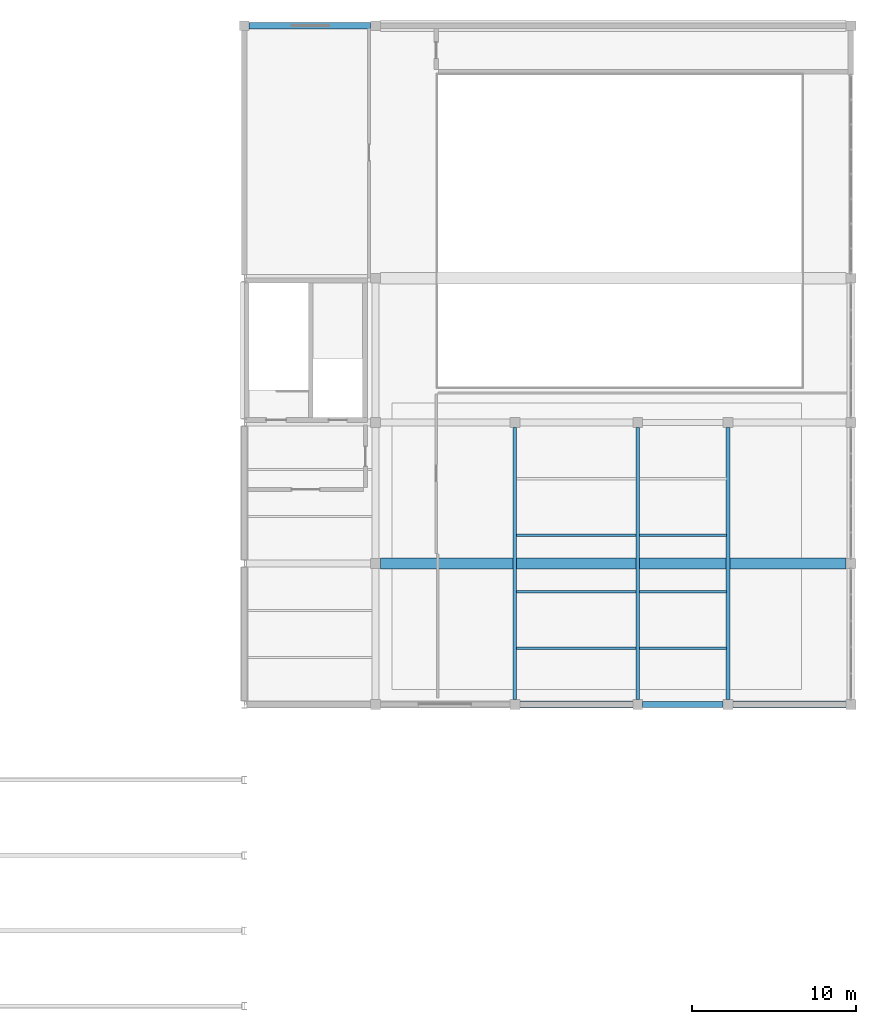
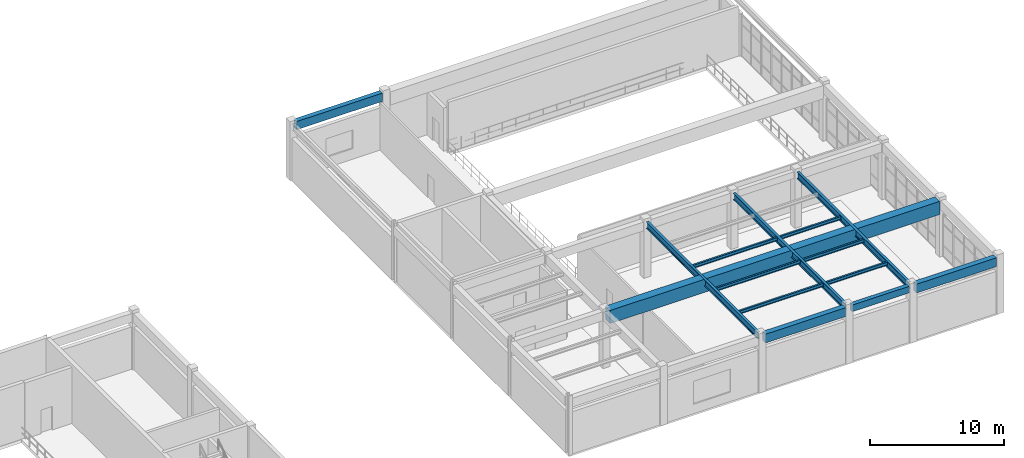
# One storey, part 11 of 38: 14 beams.
"""IFC4 building model written with IfcOpenShell, lengths in metres."""

from ifc_helpers import new_model, si_unit, direction, frame, origin, origin_2d, place, context, subcontext, project, spatial, rectangle, i_section, extrude, material, material_profile, profile_set, type_object, element, save


model = new_model("IFC4")

# Units and contexts
model_context = context("Model", 3, precision=1e-05, world=origin(), true_north=direction((0.0, 1.0)))
body_context = subcontext(model_context, "Body", "Model", "MODEL_VIEW")
ifc_project = project(units=[si_unit("LENGTHUNIT", "METRE"), si_unit("AREAUNIT", "SQUARE_METRE"), si_unit("VOLUMEUNIT", "CUBIC_METRE"), si_unit("PLANEANGLEUNIT", "RADIAN"), si_unit("MASSUNIT", "GRAM", prefix="KILO")], contexts=[model_context])

# Site, building, storey
site_placement = place(None, origin())
site = spatial("IfcSite", under=ifc_project, at=site_placement, CompositionType="ELEMENT")
building_placement = place(site_placement, origin())
building = spatial("IfcBuilding", under=site, at=building_placement, Name="Muzn Square Opera House", CompositionType="ELEMENT")
storey_placement = place(building_placement, frame((0.0, 0.0, 18.0)))
storey = spatial("IfcBuildingStorey", under=building, at=storey_placement, Name="L04", CompositionType="ELEMENT", Elevation=18.0)

# Beams
ifc_material_1 = material(Name="Concrete C40/50", Category="concrete")
ifc_material_profile_1 = material_profile(ifc_material_1, rectangle(XDim=0.35009765625, YDim=0.60009765625, at=origin_2d()), Name="RCB 350x600", Category="concrete")
ifc_profile_set_1 = profile_set([ifc_material_profile_1], Name="Concrete C40/50")
beam_type_1 = type_object("IfcBeamType", Name="Primary Girder 350x600", PredefinedType="BEAM", material=ifc_profile_set_1)
beam_1_placement = place(storey_placement, frame((157.2919921875, 72.60009765625, 4.820068359375), z_axis=(1.0, 0.0, 0.0), x_axis=(0.0, 1.0, 0.0)))
element("IfcBeam", 1, at=beam_1_placement, inside=storey, type_object=beam_type_1, Name="Primary Girder BM-L04-BM-PG600-1573_726_1622_726-2672", PredefinedType="BEAM", context=body_context, shape_type="SweptSolid", body=[
    extrude(rectangle(XDim=0.35009765625, YDim=0.60009765625, at=origin_2d()), origin(), (0.0, 0.0, 1.0), 4.916015625),
])
ifc_material_profile_2 = material_profile(ifc_material_1, rectangle(XDim=0.449951171875, YDim=0.800048828125, at=origin_2d()), Name="RCB 450x800", Category="concrete")
ifc_profile_set_2 = profile_set([ifc_material_profile_2], Name="Concrete C40/50")
beam_type_2 = type_object("IfcBeamType", Name="Primary Girder 450x800", PredefinedType="BEAM", material=ifc_profile_set_2)
for number, where, z_axis, x_axis, name in (
    (2, (149.7919921875, 72.60009765625, 4.719970703125), (1.0, 0.0, 0.0), (0.0, 1.0, 0.0), "Primary Girder BM-L04-BM-PG800-1498_726_1567_726-2671"),
    (3, (162.7919921875, 72.60009765625, 4.719970703125), (1.0, 0.0, 0.0), (0.0, 1.0, 0.0), "Primary Girder BM-L04-BM-PG800-1628_726_1697_726-2673"),
):
    element("IfcBeam", number, at=place(storey_placement, frame(where, z_axis=z_axis, x_axis=x_axis)), inside=storey, type_object=beam_type_2, Name=name, PredefinedType="BEAM", context=body_context, shape_type="SweptSolid", body=[
        extrude(rectangle(XDim=0.449951171875, YDim=0.800048828125, at=origin_2d()), origin(), (0.0, 0.0, 1.0), 6.916015625),
    ])
ifc_material_profile_3 = material_profile(ifc_material_1, rectangle(XDim=0.699951171875, YDim=1.199951171875, at=origin_2d()), Name="RCB 700x1200", Category="concrete")
ifc_profile_set_3 = profile_set([ifc_material_profile_3], Name="Concrete C40/50")
beam_type_3 = type_object("IfcBeamType", Name="Primary Girder 700x1200", PredefinedType="BEAM", material=ifc_profile_set_3)
beam_2_placement = place(storey_placement, frame((141.2919921875, 81.199951171875, 4.52001953125), z_axis=(1.0, 0.0, 0.0), x_axis=(0.0, 1.0, 0.0)))
element("IfcBeam", 4, at=beam_2_placement, inside=storey, type_object=beam_type_3, Name="Primary Girder BM-L04-BM-PG1200-1413_812_1697_812-2678", PredefinedType="BEAM", context=body_context, shape_type="SweptSolid", body=[
    extrude(rectangle(XDim=0.699951171875, YDim=1.199951171875, at=origin_2d()), origin(), (0.0, 0.0, 1.0), 28.416015625),
])
ifc_material_2 = material(Name="Steel S355", Category="steel")
ifc_material_profile_4 = material_profile(ifc_material_2, i_section(OverallWidth=0.14990234375, OverallDepth=0.300048828125, WebThickness=0.007080078125, FlangeThickness=0.0107421875, FilletRadius=0.014892578125, at=origin_2d()), Name="IPE 300", Category="steel")
ifc_profile_set_4 = profile_set([ifc_material_profile_4], Name="Steel S355")
beam_type_4 = type_object("IfcBeamType", Name="Secondary Steel Joist IPE300", PredefinedType="JOIST", material=ifc_profile_set_4)
for number, where, z_axis, x_axis, name in (
    (5, (149.60205078125, 76.0400390625, 4.969970703125), (1.0, 0.0, 0.0), (0.0, 1.0, 0.0), "Floor Joist BM-L04-BM-SJ300-1496_760_1569_760-2740"),
    (6, (149.60205078125, 79.47998046875, 4.969970703125), (1.0, 0.0, 0.0), (0.0, 1.0, 0.0), "Floor Joist BM-L04-BM-SJ300-1496_795_1569_795-2741"),
    (7, (149.60205078125, 82.919921875, 4.969970703125), (1.0, 0.0, 0.0), (0.0, 1.0, 0.0), "Floor Joist BM-L04-BM-SJ300-1496_829_1569_829-2742"),
):
    element("IfcBeam", number, at=place(storey_placement, frame(where, z_axis=z_axis, x_axis=x_axis)), inside=storey, type_object=beam_type_4, Name=name, PredefinedType="JOIST", context=body_context, shape_type="SweptSolid", body=[
        extrude(i_section(OverallWidth=0.14990234375, OverallDepth=0.300048828125, WebThickness=0.007080078125, FlangeThickness=0.0107421875, FilletRadius=0.014892578125, at=origin_2d()), origin(), (0.0, 0.0, 1.0), 7.2958984375),
    ])
for number, where, z_axis, x_axis, name in (
    (8, (157.10205078125, 76.0400390625, 4.969970703125), (1.0, 0.0, 0.0), (0.0, 1.0, 0.0), "Floor Joist BM-L04-BM-SJ300-1571_760_1624_760-2744"),
    (9, (157.10205078125, 79.47998046875, 4.969970703125), (1.0, 0.0, 0.0), (0.0, 1.0, 0.0), "Floor Joist BM-L04-BM-SJ300-1571_795_1624_795-2745"),
    (10, (157.10205078125, 82.919921875, 4.969970703125), (1.0, 0.0, 0.0), (0.0, 1.0, 0.0), "Floor Joist BM-L04-BM-SJ300-1571_829_1624_829-2746"),
):
    element("IfcBeam", number, at=place(storey_placement, frame(where, z_axis=z_axis, x_axis=x_axis)), inside=storey, type_object=beam_type_4, Name=name, PredefinedType="JOIST", context=body_context, shape_type="SweptSolid", body=[
        extrude(i_section(OverallWidth=0.14990234375, OverallDepth=0.300048828125, WebThickness=0.007080078125, FlangeThickness=0.0107421875, FilletRadius=0.014892578125, at=origin_2d()), origin(), (0.0, 0.0, 1.0), 5.2958984375),
    ])
ifc_material_profile_5 = material_profile(ifc_material_1, rectangle(XDim=0.39990234375, YDim=0.75, at=origin_2d()), Name="RCS 400x750", Category="concrete")
ifc_profile_set_5 = profile_set([ifc_material_profile_5], Name="Concrete C40/50")
beam_type_5 = type_object("IfcBeamType", Name="Spandrel Beam 400x750", PredefinedType="SPANDREL", material=ifc_profile_set_5)
beam_3_placement = place(storey_placement, frame((133.2919921875, 114.0, 4.77490234375), z_axis=(1.0, 0.0, 0.0), x_axis=(0.0, 1.0, 0.0)))
element("IfcBeam", 11, at=beam_3_placement, inside=storey, type_object=beam_type_5, Name="Spandrel Beam BM-N114-L04-025", PredefinedType="SPANDREL", context=body_context, shape_type="SweptSolid", body=[
    extrude(rectangle(XDim=0.39990234375, YDim=0.75, at=origin_2d()), origin(), (0.0, 0.0, 1.0), 7.416015625),
])
ifc_material_profile_6 = material_profile(ifc_material_2, i_section(OverallWidth=0.219970703125, OverallDepth=0.60009765625, WebThickness=0.011962890625, FlangeThickness=0.01904296875, FilletRadius=0.02392578125, at=origin_2d()), Name="IPE 600", Category="steel")
ifc_profile_set_6 = profile_set([ifc_material_profile_6], Name="Steel S355")
beam_type_6 = type_object("IfcBeamType", Name="Stage Gallery Beam IPE600", PredefinedType="BEAM", material=ifc_profile_set_6)
for number, where, z_axis, x_axis, name in (
    (12, (149.5, 72.89208984375, 4.820068359375), (0.0, 1.0, 0.0), (-1.0, 0.0, 0.0), "Primary Girder BM-L04-BM-SG600-1495_729_1495_895-2718"),
    (13, (157.0, 72.89208984375, 4.820068359375), (0.0, 1.0, 0.0), (-1.0, 0.0, 0.0), "Primary Girder BM-L04-BM-SG600-1570_729_1570_895-2719"),
    (14, (162.5, 72.89208984375, 4.820068359375), (0.0, 1.0, 0.0), (-1.0, 0.0, 0.0), "Primary Girder BM-L04-BM-SG600-1625_729_1625_895-2720"),
):
    element("IfcBeam", number, at=place(storey_placement, frame(where, z_axis=z_axis, x_axis=x_axis)), inside=storey, type_object=beam_type_6, Name=name, PredefinedType="BEAM", context=body_context, shape_type="SweptSolid", body=[
        extrude(i_section(OverallWidth=0.219970703125, OverallDepth=0.60009765625, WebThickness=0.011962890625, FlangeThickness=0.01904296875, FilletRadius=0.02392578125, at=origin_2d()), origin(), (0.0, 0.0, 1.0), 16.615966796875),
    ])

save(model, "model.ifc")
